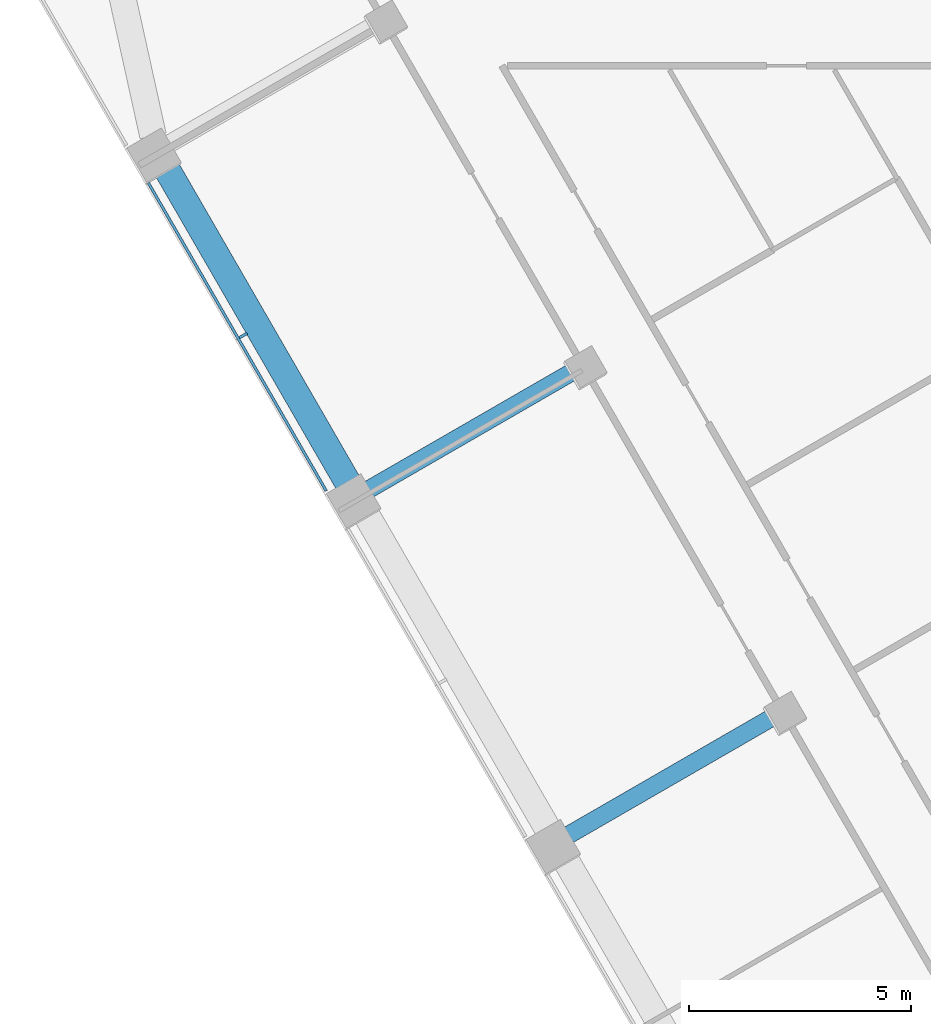
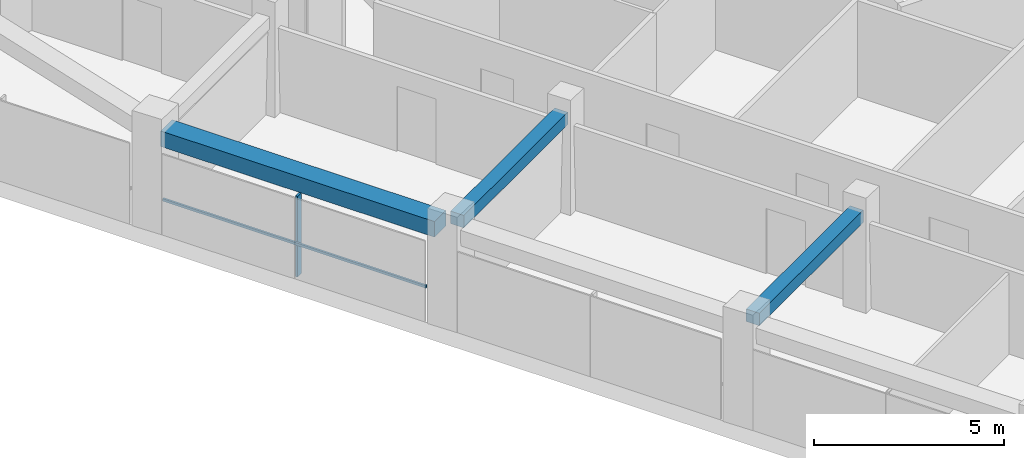
# One storey, part 3 of 14: 3 beams, 2 members, 1 element without a shape of its own.
"""IFC4 building model written with IfcOpenShell, lengths in metres."""

from ifc_helpers import new_model, si_unit, direction, frame, origin, origin_2d, place, context, subcontext, project, spatial, rectangle, extrude, material, layer, layer_set, material_profile, profile_set, type_object, element, aggregate, save


model = new_model("IFC4")

# Units and contexts
model_context = context("Model", 3, precision=1e-05, world=origin(), true_north=direction((0.0, 1.0)))
body_context = subcontext(model_context, "Body", "Model", "MODEL_VIEW")
ifc_project = project(units=[si_unit("LENGTHUNIT", "METRE"), si_unit("AREAUNIT", "SQUARE_METRE"), si_unit("VOLUMEUNIT", "CUBIC_METRE"), si_unit("PLANEANGLEUNIT", "RADIAN"), si_unit("MASSUNIT", "GRAM", prefix="KILO")], contexts=[model_context])

# Site, building, storey
site_placement = place(None, origin())
site = spatial("IfcSite", under=ifc_project, at=site_placement, CompositionType="ELEMENT")
building_placement = place(site_placement, origin())
building = spatial("IfcBuilding", under=site, at=building_placement, Name="Altiplano Prism Tower", CompositionType="ELEMENT")
storey_placement = place(building_placement, frame((0.0, 0.0, 108.0)))
storey = spatial("IfcBuildingStorey", under=building, at=storey_placement, Name="L27", CompositionType="ELEMENT", Elevation=108.0)

# Curtain wall, members
ifc_material_1 = material(Name="Aluminium and glass", Category="aluminium")
ifc_layer = layer(ifc_material_1, 0.303955078125)
ifc_layer_set = layer_set([ifc_layer], Name="Aluminium and glass")
curtain_wall_type = type_object("IfcCurtainWallType", Name="CW2 lounge-band unitised glazing", PredefinedType="NOTDEFINED", material=ifc_layer_set)
curtain_wall_placement = place(storey_placement, origin())
curtain_wall = element("IfcCurtainWall", 1, at=curtain_wall_placement, inside=storey, type_object=curtain_wall_type, Name="CW2 curtain wall south-west face L27", PredefinedType="NOTDEFINED")
ifc_material_2 = material(Name="Aluminium", Category="aluminium")
ifc_material_profile_1 = material_profile(ifc_material_2, rectangle(XDim=0.199951171875, YDim=0.06005859375, at=origin_2d()), Name="CW2 mullion 60 x 200")
ifc_profile_set_1 = profile_set([ifc_material_profile_1], Name="Aluminium")
member_type_1 = type_object("IfcMemberType", Name="CW2 mullion 60 x 200", PredefinedType="MULLION", material=ifc_profile_set_1)
member_1_placement = place(storey_placement, frame((64.289794921875, 84.513427734375, 0.0), z_axis=(0.0, 0.0, 1.0), x_axis=(0.866025409675, 0.499999989797, 0.0)))
member_1 = element("IfcMember", 2, at=member_1_placement, type_object=member_type_1, Name="CW2 mullion", PredefinedType="MULLION", context=body_context, shape_type="SweptSolid", body=[
    extrude(rectangle(XDim=0.199951171875, YDim=0.06005859375, at=origin_2d()), origin(), (0.0, 0.0, 1.0), 2.60009765625),
])
ifc_material_profile_2 = material_profile(ifc_material_2, rectangle(XDim=0.06005859375, YDim=0.080078125, at=origin_2d()), Name="CW2 transom 80 x 60")
ifc_profile_set_2 = profile_set([ifc_material_profile_2], Name="Aluminium")
member_type_2 = type_object("IfcMemberType", Name="CW2 transom 80 x 60", PredefinedType="USERDEFINED", material=ifc_profile_set_2)
member_2_placement = place(storey_placement, frame((62.152587890625, 87.955322265625, 1.10009765625), z_axis=(0.500012318566, -0.86601829154, 0.0), x_axis=(0.86601829154, 0.500012318566, 0.0)))
member_2 = element("IfcMember", 3, at=member_2_placement, type_object=member_type_2, Name="CW2 transom", ObjectType="TRANSOM", PredefinedType="USERDEFINED", context=body_context, shape_type="SweptSolid", body=[
    extrude(rectangle(XDim=0.06005859375, YDim=0.080078125, at=origin_2d()), origin(), (0.0, 0.0, 1.0), 8.019775390625),
])
aggregate(curtain_wall, [member_1, member_2])

# Beams
ifc_material_3 = material(Name="Concrete C60/75", Category="concrete")
ifc_material_profile_3 = material_profile(ifc_material_3, rectangle(XDim=0.60009765625, YDim=0.5, at=origin_2d()), Name="Edge beam 600x500")
ifc_profile_set_3 = profile_set([ifc_material_profile_3], Name="Concrete C60/75")
beam_type_1 = type_object("IfcBeamType", Name="Edge beam 600x500", PredefinedType="SPANDREL", material=ifc_profile_set_3)
beam_placement = place(storey_placement, frame((62.498046875, 88.386474609375, 2.85009765625), z_axis=(0.499992746786, -0.866029591389, 0.0), x_axis=(0.866029591389, 0.499992746786, 0.0)))
element("IfcBeam", 4, at=beam_placement, inside=storey, type_object=beam_type_1, Name="Edge beam P11-P12 L28", PredefinedType="SPANDREL", context=body_context, shape_type="SweptSolid", body=[
    extrude(rectangle(XDim=0.60009765625, YDim=0.5, at=origin_2d()), origin(), (0.0, 0.0, 1.0), 8.33984375),
])
ifc_material_profile_4 = material_profile(ifc_material_3, rectangle(XDim=0.39990234375, YDim=0.39990234375, at=origin_2d()), Name="Tie beam 400x400")
ifc_profile_set_4 = profile_set([ifc_material_profile_4], Name="Concrete C60/75")
beam_type_2 = type_object("IfcBeamType", Name="Tie beam 400x400", PredefinedType="BEAM", material=ifc_profile_set_4)
for number, where, z_axis, x_axis, name in (
    (5, (71.873291015625, 83.787841796875, 2.89990234375), (-0.866042665983, -0.499970099802, 0.0), (0.499970099802, -0.866042665983, 0.0), "Tie beam I12 L28"),
    (6, (76.373291015625, 75.99365234375, 2.89990234375), (-0.866042665983, -0.499970099802, 0.0), (0.499970099802, -0.866042665983, 0.0), "Tie beam I13 L28"),
):
    element("IfcBeam", number, at=place(storey_placement, frame(where, z_axis=z_axis, x_axis=x_axis)), inside=storey, type_object=beam_type_2, Name=name, PredefinedType="BEAM", context=body_context, shape_type="SweptSolid", body=[
        extrude(rectangle(XDim=0.39990234375, YDim=0.39990234375, at=origin_2d()), origin(), (0.0, 0.0, 1.0), 5.489990234375),
    ])

save(model, "model.ifc")
